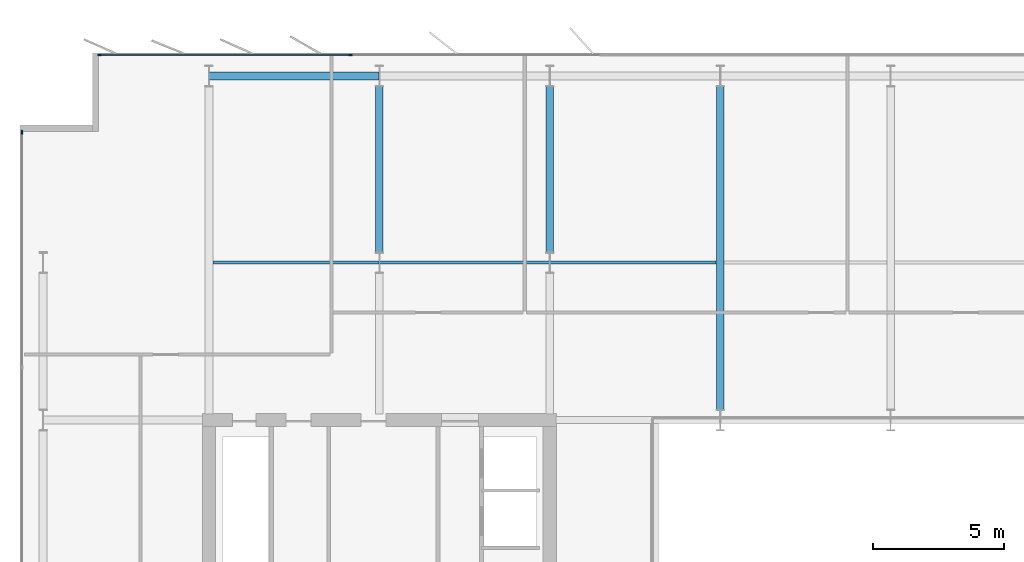
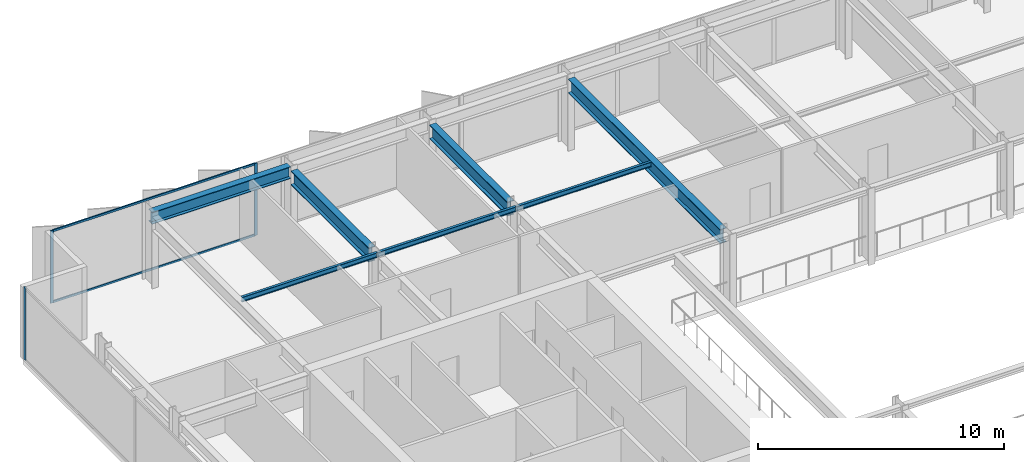
# One storey, part 10 of 24: 7 beams, 5 members, 2 elements without a shape of their own.
"""IFC4 building model written with IfcOpenShell, lengths in metres."""

from ifc_helpers import new_model, si_unit, direction, frame, origin, origin_2d, place, context, subcontext, project, spatial, rectangle, i_section, extrude, material, layer, layer_set, material_profile, profile_set, type_object, element, aggregate, save


model = new_model("IFC4")

# Units and contexts
model_context = context("Model", 3, precision=1e-05, world=origin(), true_north=direction((0.0, 1.0)))
body_context = subcontext(model_context, "Body", "Model", "MODEL_VIEW")
ifc_project = project(units=[si_unit("LENGTHUNIT", "METRE"), si_unit("AREAUNIT", "SQUARE_METRE"), si_unit("VOLUMEUNIT", "CUBIC_METRE"), si_unit("PLANEANGLEUNIT", "RADIAN"), si_unit("MASSUNIT", "GRAM", prefix="KILO")], contexts=[model_context])

# Site, building, storey
site_placement = place(None, origin())
site = spatial("IfcSite", under=ifc_project, at=site_placement, CompositionType="ELEMENT")
building_placement = place(site_placement, origin())
building = spatial("IfcBuilding", under=site, at=building_placement, Name="Putna Gate Headquarters", CompositionType="ELEMENT")
storey_placement = place(building_placement, frame((0.0, 0.0, 244.199951171875)))
storey = spatial("IfcBuildingStorey", under=building, at=storey_placement, Name="L61", CompositionType="ELEMENT", Elevation=244.199951171875)

# Beams
ifc_material_1 = material(Name="Steel S355J2", Category="steel")
ifc_material_profile_1 = material_profile(ifc_material_1, i_section(OverallWidth=0.300048828125, OverallDepth=0.699951171875, WebThickness=0.01708984375, FlangeThickness=0.031982421875, at=origin_2d()), Name="Steel S355J2")
ifc_profile_set_1 = profile_set([ifc_material_profile_1], Name="Steel S355J2")
beam_type_1 = type_object("IfcBeamType", Name="BM-GIRD-B-HEB700", PredefinedType="USERDEFINED", material=ifc_profile_set_1)
for number, where, z_axis, x_axis, name in (
    (1, (19.5, 39.39501953125, 3.22998046875), (0.0, 1.0, 0.0), (-1.0, 0.0, 0.0), "L61 North Primary Girder X19-2"),
    (2, (26.0, 39.39501953125, 3.22998046875), (0.0, 1.0, 0.0), (-1.0, 0.0, 0.0), "L61 North Primary Girder X26-2"),
):
    element("IfcBeam", number, at=place(storey_placement, frame(where, z_axis=z_axis, x_axis=x_axis)), inside=storey, type_object=beam_type_1, Name=name, ObjectType="GIRDER", PredefinedType="USERDEFINED", context=body_context, shape_type="SweptSolid", body=[
        extrude(i_section(OverallWidth=0.300048828125, OverallDepth=0.699951171875, WebThickness=0.01708984375, FlangeThickness=0.031982421875, at=origin_2d()), origin(), (0.0, 0.0, 1.0), 6.330078125),
    ])
beam_1_placement = place(storey_placement, frame((32.5, 33.39501953125, 3.22998046875), z_axis=(0.0, 1.0, 0.0), x_axis=(-1.0, 0.0, 0.0)))
element("IfcBeam", 3, at=beam_1_placement, inside=storey, type_object=beam_type_1, Name="L61 North Primary Girder X32", ObjectType="GIRDER", PredefinedType="USERDEFINED", context=body_context, shape_type="SweptSolid", body=[
    extrude(i_section(OverallWidth=0.300048828125, OverallDepth=0.699951171875, WebThickness=0.01708984375, FlangeThickness=0.031982421875, at=origin_2d()), origin(), (0.0, 0.0, 1.0), 12.330078125),
])
ifc_material_profile_2 = material_profile(ifc_material_1, i_section(OverallWidth=0.1201171875, OverallDepth=0.239990234375, WebThickness=0.006103515625, FlangeThickness=0.009765625, at=origin_2d()), Name="Steel S355J2")
ifc_profile_set_2 = profile_set([ifc_material_profile_2], Name="Steel S355J2")
beam_type_2 = type_object("IfcBeamType", Name="BM-SEC-Z4-IPE240", PredefinedType="JOIST", material=ifc_profile_set_2)
beam_2_placement = place(storey_placement, frame((13.154052734375, 39.0, 3.4599609375), z_axis=(1.0, 0.0, 0.0), x_axis=(0.0, 1.0, 0.0)))
element("IfcBeam", 4, at=beam_2_placement, inside=storey, type_object=beam_type_2, Name="L61 North Secondary Beam 1", PredefinedType="JOIST", context=body_context, shape_type="SweptSolid", body=[
    extrude(i_section(OverallWidth=0.1201171875, OverallDepth=0.239990234375, WebThickness=0.006103515625, FlangeThickness=0.009765625, at=origin_2d()), origin(), (0.0, 0.0, 1.0), 6.33984375),
])
beam_3_placement = place(storey_placement, frame((19.506103515625, 39.0, 3.4599609375), z_axis=(1.0, 0.0, 0.0), x_axis=(0.0, 1.0, 0.0)))
element("IfcBeam", 5, at=beam_3_placement, inside=storey, type_object=beam_type_2, Name="L61 North Secondary Beam 2", PredefinedType="JOIST", context=body_context, shape_type="SweptSolid", body=[
    extrude(i_section(OverallWidth=0.1201171875, OverallDepth=0.239990234375, WebThickness=0.006103515625, FlangeThickness=0.009765625, at=origin_2d()), origin(), (0.0, 0.0, 1.0), 6.48779296875),
])
beam_4_placement = place(storey_placement, frame((26.006103515625, 39.0, 3.4599609375), z_axis=(1.0, 0.0, 0.0), x_axis=(0.0, 1.0, 0.0)))
element("IfcBeam", 6, at=beam_4_placement, inside=storey, type_object=beam_type_2, Name="L61 North Secondary Beam 3", PredefinedType="JOIST", context=body_context, shape_type="SweptSolid", body=[
    extrude(i_section(OverallWidth=0.1201171875, OverallDepth=0.239990234375, WebThickness=0.006103515625, FlangeThickness=0.009765625, at=origin_2d()), origin(), (0.0, 0.0, 1.0), 6.33984375),
])
ifc_material_profile_3 = material_profile(ifc_material_1, i_section(OverallWidth=0.300048828125, OverallDepth=0.590087890625, WebThickness=0.012939453125, FlangeThickness=0.02490234375, at=origin_2d()), Name="Steel S355J2")
ifc_profile_set_3 = profile_set([ifc_material_profile_3], Name="Steel S355J2")
beam_type_3 = type_object("IfcBeamType", Name="BM-SPAN-Z4-HEA600", PredefinedType="SPANDREL", material=ifc_profile_set_3)
beam_5_placement = place(storey_placement, frame((13.006103515625, 46.1201171875, 3.28515625), z_axis=(1.0, 0.0, 0.0), x_axis=(0.0, 1.0, 0.0)))
element("IfcBeam", 7, at=beam_5_placement, inside=storey, type_object=beam_type_3, Name="L61 N Perimeter Spandrel 1", PredefinedType="SPANDREL", context=body_context, shape_type="SweptSolid", body=[
    extrude(i_section(OverallWidth=0.300048828125, OverallDepth=0.590087890625, WebThickness=0.012939453125, FlangeThickness=0.02490234375, at=origin_2d()), origin(), (0.0, 0.0, 1.0), 6.48779296875),
])

# Curtain wall, members
ifc_material_2 = material(Name="Anodised bronze aluminium curtain wall", Category="aluminium")
ifc_layer = layer(ifc_material_2, 0.139892578125)
ifc_layer_set = layer_set([ifc_layer], Name="Anodised bronze aluminium curtain wall")
curtain_wall_type = type_object("IfcCurtainWallType", Name="CW-SYS-Z4", PredefinedType="USERDEFINED", material=ifc_layer_set)
curtain_wall_1_placement = place(storey_placement, origin())
curtain_wall_1 = element("IfcCurtainWall", 8, at=curtain_wall_1_placement, inside=storey, type_object=curtain_wall_type, Name="L61 North West Curtain Wall", ObjectType="STICK CURTAIN WALL", PredefinedType="USERDEFINED")
ifc_material_3 = material(Name="Anodised bronze aluminium EN AW-6060", Category="aluminium")
ifc_material_profile_4 = material_profile(ifc_material_3, rectangle(XDim=0.06005859375, YDim=0.139892578125, at=origin_2d()), Name="Anodised bronze aluminium EN AW-6060")
ifc_profile_set_4 = profile_set([ifc_material_profile_4], Name="Anodised bronze aluminium EN AW-6060")
member_type_1 = type_object("IfcMemberType", Name="MULL-CWM-4", PredefinedType="MULLION", material=ifc_profile_set_4)
member_1_placement = place(storey_placement, frame((8.830078125, 46.919921875, 0.0), z_axis=(0.0, 0.0, 1.0), x_axis=(0.0, 1.0, 0.0)))
member_1 = element("IfcMember", 9, at=member_1_placement, type_object=member_type_1, Name="CWS-4 mullion 1", PredefinedType="MULLION", context=body_context, shape_type="SweptSolid", body=[
    extrude(rectangle(XDim=0.06005859375, YDim=0.139892578125, at=origin_2d()), origin(), (0.0, 0.0, 1.0), 3.580078125),
])
member_2_placement = place(storey_placement, frame((18.39990234375, 46.919921875, 0.0), z_axis=(0.0, 0.0, 1.0), x_axis=(0.0, 1.0, 0.0)))
member_2 = element("IfcMember", 10, at=member_2_placement, type_object=member_type_1, Name="CWS-4 mullion 2", PredefinedType="MULLION", context=body_context, shape_type="SweptSolid", body=[
    extrude(rectangle(XDim=0.06005859375, YDim=0.139892578125, at=origin_2d()), origin(), (0.0, 0.0, 1.0), 3.580078125),
])

# Curtain wall, member
curtain_wall_2_placement = place(storey_placement, origin())
curtain_wall_2 = element("IfcCurtainWall", 11, at=curtain_wall_2_placement, inside=storey, type_object=curtain_wall_type, Name="L61 West Curtain Wall", ObjectType="STICK CURTAIN WALL", PredefinedType="USERDEFINED")
member_3_placement = place(storey_placement, frame((5.8798828125, 43.969970703125, 0.0), z_axis=(0.0, 0.0, 1.0), x_axis=(-1.0, 0.0, 0.0)))
member_3 = element("IfcMember", 12, at=member_3_placement, type_object=member_type_1, Name="CWS-4 mullion 5", PredefinedType="MULLION", context=body_context, shape_type="SweptSolid", body=[
    extrude(rectangle(XDim=0.06005859375, YDim=0.139892578125, at=origin_2d()), origin(), (0.0, 0.0, 1.0), 3.580078125),
])
aggregate(curtain_wall_2, [member_3])

# Member
ifc_material_profile_5 = material_profile(ifc_material_3, rectangle(XDim=0.06005859375, YDim=0.10009765625, at=origin_2d()), Name="Anodised bronze aluminium EN AW-6060")
ifc_profile_set_5 = profile_set([ifc_material_profile_5], Name="Anodised bronze aluminium EN AW-6060")
member_type_2 = type_object("IfcMemberType", Name="TRAN-CWT-4", PredefinedType="USERDEFINED", material=ifc_profile_set_5)
member_4_placement = place(storey_placement, frame((8.860107421875, 46.919921875, 0.030029296875), z_axis=(1.0, 0.0, 0.0), x_axis=(0.0, 1.0, 0.0)))
member_4 = element("IfcMember", 13, at=member_4_placement, type_object=member_type_2, Name="CWS-4 transom 1.1", ObjectType="TRANSOM", PredefinedType="USERDEFINED", context=body_context, shape_type="SweptSolid", body=[
    extrude(rectangle(XDim=0.06005859375, YDim=0.10009765625, at=origin_2d()), origin(), (0.0, 0.0, 1.0), 9.510009765625),
])

member_5_placement = place(storey_placement, frame((8.860107421875, 46.919921875, 3.550048828125), z_axis=(1.0, 0.0, 0.0), x_axis=(0.0, 1.0, 0.0)))
member_5 = element("IfcMember", 14, at=member_5_placement, type_object=member_type_2, Name="CWS-4 transom 1.2", ObjectType="TRANSOM", PredefinedType="USERDEFINED", context=body_context, shape_type="SweptSolid", body=[
    extrude(rectangle(XDim=0.06005859375, YDim=0.10009765625, at=origin_2d()), origin(), (0.0, 0.0, 1.0), 9.510009765625),
])

aggregate(curtain_wall_1, [member_1, member_2, member_4, member_5])

save(model, "model.ifc")
